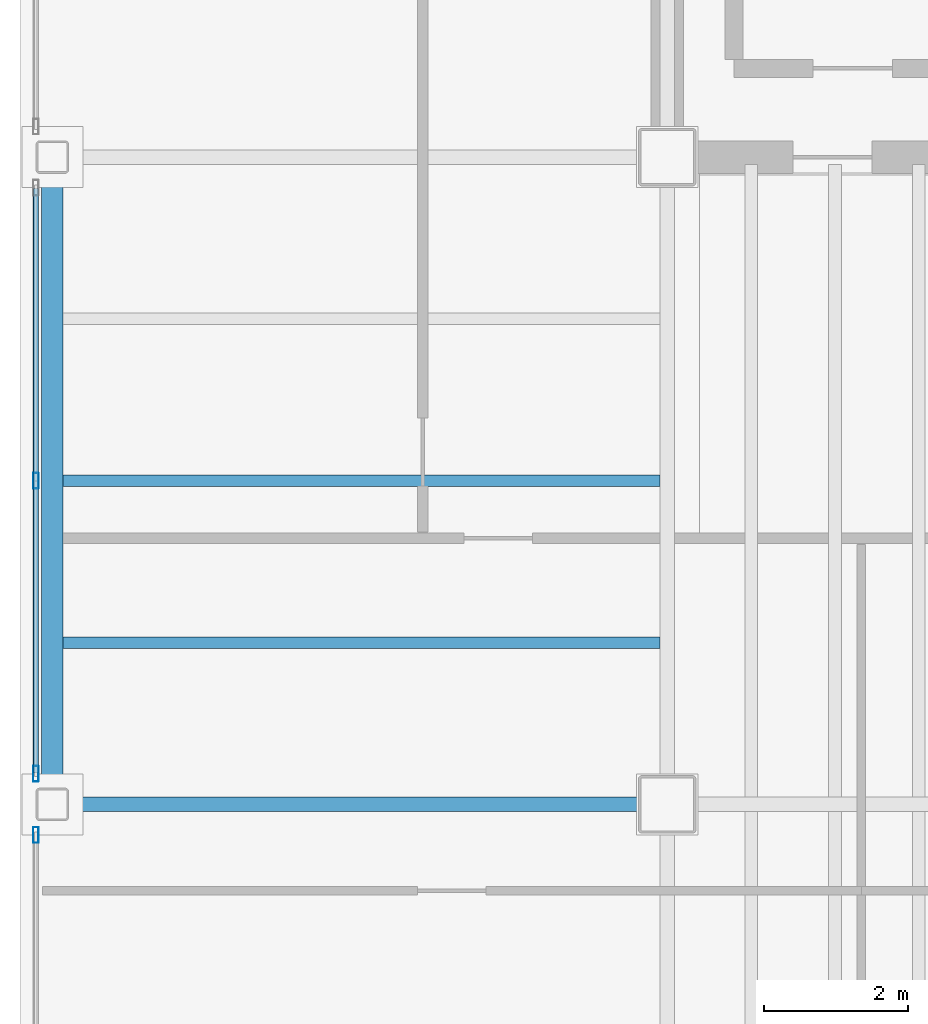
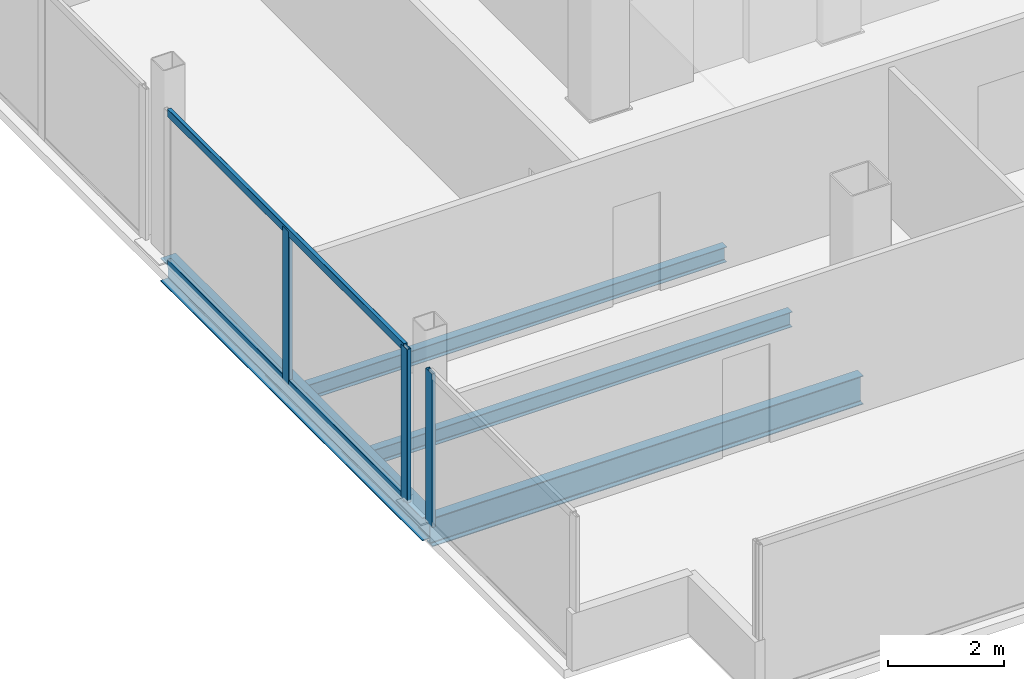
# One storey, part 4 of 17: 5 members, 4 beams, 2 elements without a shape of their own.
"""IFC4 building model written with IfcOpenShell, lengths in metres."""

from ifc_helpers import new_model, si_unit, direction, frame, origin, origin_2d, place, context, subcontext, project, spatial, hollow_rectangle, i_section, extrude, material, material_profile, profile_set, type_object, element, aggregate, save


model = new_model("IFC4")

# Units and contexts
model_context = context("Model", 3, precision=1e-05, world=origin(), true_north=direction((0.0, 1.0)))
body_context = subcontext(model_context, "Body", "Model", "MODEL_VIEW")
ifc_project = project(units=[si_unit("LENGTHUNIT", "METRE"), si_unit("AREAUNIT", "SQUARE_METRE"), si_unit("VOLUMEUNIT", "CUBIC_METRE"), si_unit("PLANEANGLEUNIT", "RADIAN"), si_unit("MASSUNIT", "GRAM", prefix="KILO")], contexts=[model_context])

# Site, building, storey
site_placement = place(None, origin())
site = spatial("IfcSite", under=ifc_project, at=site_placement, CompositionType="ELEMENT")
building_placement = place(site_placement, origin())
building = spatial("IfcBuilding", under=site, at=building_placement, Name="Noeulbin Bourse Tower", CompositionType="ELEMENT")
storey_placement = place(building_placement, frame((0.0, 0.0, 246.199951171875)))
storey = spatial("IfcBuildingStorey", under=building, at=storey_placement, Name="L61", CompositionType="ELEMENT", Elevation=246.199951171875)

# Beams
ifc_material_1 = material(Name="Steel S355", Category="steel")
ifc_material_profile_1 = material_profile(ifc_material_1, i_section(OverallWidth=0.199951171875, OverallDepth=0.60009765625, WebThickness=0.010986328125, FlangeThickness=0.01708984375, FilletRadius=0.02197265625, at=origin_2d()), Name="H-600x200x11x17", Category="LoadBearing")
ifc_profile_set_1 = profile_set([ifc_material_profile_1], Name="Steel S355")
beam_type_1 = type_object("IfcBeamType", Name="BM-GRD-600", PredefinedType="USERDEFINED", material=ifc_profile_set_1)
beam_1_placement = place(storey_placement, frame((4.949951171875, 20.0, -0.47998046875), z_axis=(1.0, 0.0, 0.0), x_axis=(0.0, 1.0, 0.0)))
element("IfcBeam", 1, at=beam_1_placement, inside=storey, type_object=beam_type_1, Name="Tower Primary Girder EW L61-1.1", ObjectType="GIRDER", PredefinedType="USERDEFINED", context=body_context, shape_type="SweptSolid", body=[
    extrude(i_section(OverallWidth=0.199951171875, OverallDepth=0.60009765625, WebThickness=0.010986328125, FlangeThickness=0.01708984375, FilletRadius=0.02197265625, at=origin_2d()), origin(), (0.0, 0.0, 1.0), 8.550048828125),
])
ifc_material_profile_2 = material_profile(ifc_material_1, i_section(OverallWidth=0.159912109375, OverallDepth=0.320068359375, WebThickness=0.006591796875, FlangeThickness=0.010009765625, FilletRadius=0.012939453125, at=origin_2d()), Name="H-320x160x6.5x10", Category="LoadBearing")
ifc_profile_set_2 = profile_set([ifc_material_profile_2], Name="Steel S355")
beam_type_2 = type_object("IfcBeamType", Name="BM-JST-320", PredefinedType="JOIST", material=ifc_profile_set_2)
for number, where, z_axis, x_axis, name in (
    (2, (5.10009765625, 22.25, -0.33984375), (1.0, 0.0, 0.0), (0.0, 1.0, 0.0), "Wing Composite Joist L61-W37"),
    (3, (5.10009765625, 24.5, -0.33984375), (1.0, 0.0, 0.0), (0.0, 1.0, 0.0), "Wing Composite Joist L61-W38"),
):
    element("IfcBeam", number, at=place(storey_placement, frame(where, z_axis=z_axis, x_axis=x_axis)), inside=storey, type_object=beam_type_2, Name=name, PredefinedType="JOIST", context=body_context, shape_type="SweptSolid", body=[
        extrude(i_section(OverallWidth=0.159912109375, OverallDepth=0.320068359375, WebThickness=0.006591796875, FlangeThickness=0.010009765625, FilletRadius=0.012939453125, at=origin_2d()), origin(), (0.0, 0.0, 1.0), 8.2998046875),
    ])
ifc_material_profile_3 = material_profile(ifc_material_1, i_section(OverallWidth=0.300048828125, OverallDepth=0.488037109375, WebThickness=0.010986328125, FlangeThickness=0.01806640625, FilletRadius=0.02197265625, at=origin_2d()), Name="H-488x300x11x18", Category="LoadBearing")
ifc_profile_set_3 = profile_set([ifc_material_profile_3], Name="Steel S355")
beam_type_3 = type_object("IfcBeamType", Name="BM-SPN-488", PredefinedType="SPANDREL", material=ifc_profile_set_3)
beam_2_placement = place(storey_placement, frame((4.949951171875, 20.0, -0.424072265625), z_axis=(0.0, 1.0, 0.0), x_axis=(-1.0, 0.0, 0.0)))
element("IfcBeam", 4, at=beam_2_placement, inside=storey, type_object=beam_type_3, Name="West Spandrel L61-1", PredefinedType="SPANDREL", context=body_context, shape_type="SweptSolid", body=[
    extrude(i_section(OverallWidth=0.300048828125, OverallDepth=0.488037109375, WebThickness=0.010986328125, FlangeThickness=0.01806640625, FilletRadius=0.02197265625, at=origin_2d()), origin(), (0.0, 0.0, 1.0), 9.0),
])

# Curtain wall, member
ifc_material_2 = material(Name="High-Selectivity Low-Iron Glazing", Category="glass")
curtain_wall_type = type_object("IfcCurtainWallType", Name="CW-SYS-4", PredefinedType="NOTDEFINED", material=ifc_material_2)
curtain_wall_1_placement = place(storey_placement, origin())
curtain_wall_1 = element("IfcCurtainWall", 5, at=curtain_wall_1_placement, inside=storey, type_object=curtain_wall_type, Name="Unitised Curtain Wall CW-L61-W-S1", PredefinedType="NOTDEFINED")
ifc_material_3 = material(Name="Anodised Aluminium 6063-T6", Category="aluminium")
ifc_material_profile_4 = material_profile(ifc_material_3, hollow_rectangle(XDim=0.074951171875, YDim=0.219970703125, WallThickness=0.0048828125, InnerFilletRadius=0.00244140625, OuterFilletRadius=0.0048828125, at=origin_2d()), Name="ALU-MULL-75x220x5", Category="LoadBearing")
ifc_profile_set_4 = profile_set([ifc_material_profile_4], Name="Anodised Aluminium 6063-T6")
member_type_1 = type_object("IfcMemberType", Name="CW-SYS-4-MUL", PredefinedType="MULLION", material=ifc_profile_set_4)
member_1_placement = place(storey_placement, frame((4.719970703125, 19.574951171875, -0.02001953125), z_axis=(0.0, 0.0, 1.0), x_axis=(1.0, 0.0, 0.0)))
member_1 = element("IfcMember", 6, at=member_1_placement, type_object=member_type_1, Name="Curtain Wall Mullion CW-L61-W-S1-M01", PredefinedType="MULLION", context=body_context, shape_type="SweptSolid", body=[
    extrude(hollow_rectangle(XDim=0.074951171875, YDim=0.219970703125, WallThickness=0.0048828125, InnerFilletRadius=0.00244140625, OuterFilletRadius=0.0048828125, at=origin_2d()), origin(), (0.0, 0.0, 1.0), 3.219970703125),
])
aggregate(curtain_wall_1, [member_1])

# Curtain wall, members
curtain_wall_2_placement = place(storey_placement, origin())
curtain_wall_2 = element("IfcCurtainWall", 7, at=curtain_wall_2_placement, inside=storey, type_object=curtain_wall_type, Name="Unitised Curtain Wall CW-L61-W-S2", PredefinedType="NOTDEFINED")
member_2_placement = place(storey_placement, frame((4.719970703125, 20.425048828125, -0.02001953125), z_axis=(0.0, 0.0, 1.0), x_axis=(1.0, 0.0, 0.0)))
member_2 = element("IfcMember", 8, at=member_2_placement, type_object=member_type_1, Name="Curtain Wall Mullion CW-L61-W-S2-M00", PredefinedType="MULLION", context=body_context, shape_type="SweptSolid", body=[
    extrude(hollow_rectangle(XDim=0.074951171875, YDim=0.219970703125, WallThickness=0.0048828125, InnerFilletRadius=0.00244140625, OuterFilletRadius=0.0048828125, at=origin_2d()), origin(), (0.0, 0.0, 1.0), 3.219970703125),
])
member_3_placement = place(storey_placement, frame((4.719970703125, 24.5, -0.02001953125), z_axis=(0.0, 0.0, 1.0), x_axis=(1.0, 0.0, 0.0)))
member_3 = element("IfcMember", 9, at=member_3_placement, type_object=member_type_1, Name="Curtain Wall Mullion CW-L61-W-S2-M01", PredefinedType="MULLION", context=body_context, shape_type="SweptSolid", body=[
    extrude(hollow_rectangle(XDim=0.074951171875, YDim=0.219970703125, WallThickness=0.0048828125, InnerFilletRadius=0.00244140625, OuterFilletRadius=0.0048828125, at=origin_2d()), origin(), (0.0, 0.0, 1.0), 3.219970703125),
])
ifc_material_profile_5 = material_profile(ifc_material_3, hollow_rectangle(XDim=0.074951171875, YDim=0.159912109375, WallThickness=0.0048828125, InnerFilletRadius=0.00244140625, OuterFilletRadius=0.0048828125, at=origin_2d()), Name="ALU-TRAN-75x160x5", Category="LoadBearing")
ifc_profile_set_5 = profile_set([ifc_material_profile_5], Name="Anodised Aluminium 6063-T6")
member_type_2 = type_object("IfcMemberType", Name="CW-SYS-4-TRN", PredefinedType="USERDEFINED", material=ifc_profile_set_5)
member_4_placement = place(storey_placement, frame((4.719970703125, 20.43505859375, 0.010009765625), z_axis=(0.0, 1.0, 0.0), x_axis=(-1.0, 0.0, 0.0)))
member_4 = element("IfcMember", 10, at=member_4_placement, type_object=member_type_2, Name="Curtain Wall Transom CW-L61-W-S2-T00", ObjectType="TRANSOM", PredefinedType="USERDEFINED", context=body_context, shape_type="SweptSolid", body=[
    extrude(hollow_rectangle(XDim=0.074951171875, YDim=0.159912109375, WallThickness=0.0048828125, InnerFilletRadius=0.00244140625, OuterFilletRadius=0.0048828125, at=origin_2d()), origin(), (0.0, 0.0, 1.0), 8.1298828125),
])
member_5_placement = place(storey_placement, frame((4.719970703125, 20.43505859375, 3.170166015625), z_axis=(0.0, 1.0, 0.0), x_axis=(-1.0, 0.0, 0.0)))
member_5 = element("IfcMember", 11, at=member_5_placement, type_object=member_type_2, Name="Curtain Wall Transom CW-L61-W-S2-T01", ObjectType="TRANSOM", PredefinedType="USERDEFINED", context=body_context, shape_type="SweptSolid", body=[
    extrude(hollow_rectangle(XDim=0.074951171875, YDim=0.159912109375, WallThickness=0.0048828125, InnerFilletRadius=0.00244140625, OuterFilletRadius=0.0048828125, at=origin_2d()), origin(), (0.0, 0.0, 1.0), 8.1298828125),
])
aggregate(curtain_wall_2, [member_2, member_3, member_4, member_5])

save(model, "model.ifc")
